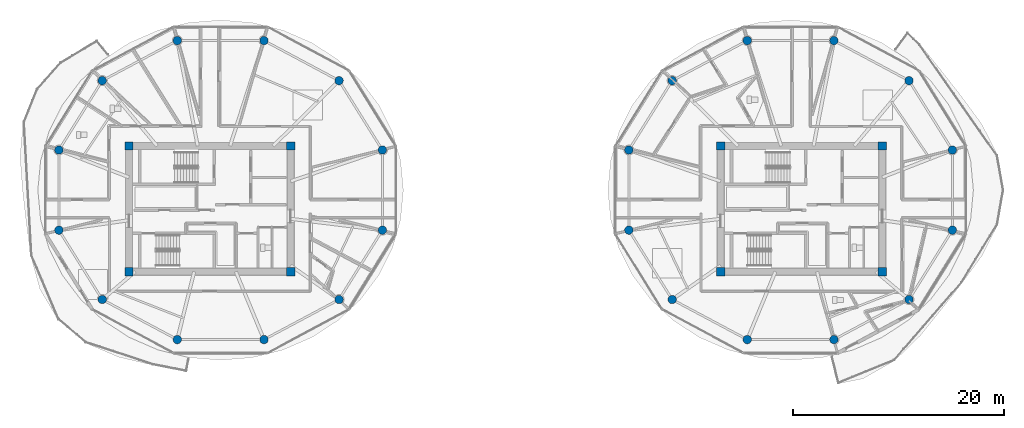
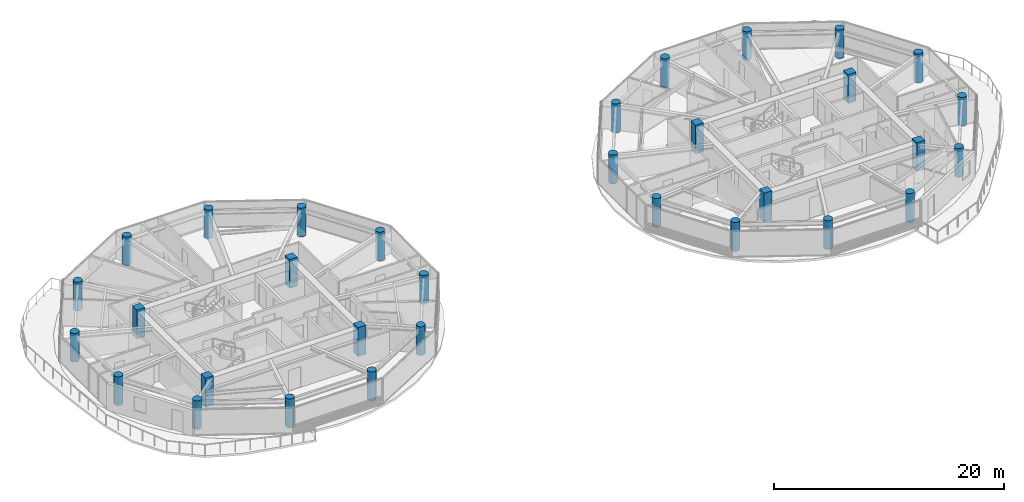
# One storey, part 1 of 25: 32 columns.
"""IFC4 building model written with IfcOpenShell, lengths in metres."""

from ifc_helpers import new_model, si_unit, direction, frame, origin, origin_2d, place, context, subcontext, project, spatial, rectangle, circle, extrude, source, transform, mapped, material, material_profile, profile_set, type_object, type_shapes, element, save


model = new_model("IFC4")

# Units and contexts
model_context = context("Model", 3, precision=1e-05, world=origin(), true_north=direction((0.0, 1.0)))
body_context = subcontext(model_context, "Body", "Model", "MODEL_VIEW")
ifc_project = project(units=[si_unit("LENGTHUNIT", "METRE"), si_unit("AREAUNIT", "SQUARE_METRE"), si_unit("VOLUMEUNIT", "CUBIC_METRE"), si_unit("PLANEANGLEUNIT", "RADIAN"), si_unit("MASSUNIT", "GRAM", prefix="KILO")], contexts=[model_context])

# Site, building, storey
site_placement = place(None, origin())
site = spatial("IfcSite", under=ifc_project, at=site_placement, CompositionType="ELEMENT")
building_placement = place(site_placement, origin())
building = spatial("IfcBuilding", under=site, at=building_placement, Name="Norrkilde Senior Care Towers", CompositionType="ELEMENT")
storey_placement = place(building_placement, frame((0.0, 0.0, 161.75)))
storey = spatial("IfcBuildingStorey", under=building, at=storey_placement, Name="L50", CompositionType="ELEMENT", Elevation=161.75)

# Columns
ifc_material_1 = material(Name="Concrete C60/75", Category="concrete")
ifc_material_profile_1 = material_profile(ifc_material_1, rectangle(XDim=0.800048828125, YDim=0.800048828125, at=origin_2d()), Name="RC COL 800x800")
ifc_profile_set_1 = profile_set([ifc_material_profile_1], Name="Concrete C60/75")
column_type_1 = type_object("IfcColumnType", Name="Column Core Corner Z3-Z4 800", PredefinedType="COLUMN", material=ifc_profile_set_1)
shared_shape_1 = source(origin(), body_context, "Body", "SweptSolid", [
    extrude(rectangle(XDim=0.800048828125, YDim=0.800048828125, at=origin_2d()), origin(), (0.0, 0.0, 1.0), 3.050048828125),
])
type_shapes(column_type_1, [shared_shape_1])
for number, where, z_axis, x_axis, name in (
    (1, (-35.64990234375, -5.949951171875, 0.0), (0.0, 0.0, 1.0), (1.0, 0.0, 0.0), "L50 Core W Corner Column 1"),
    (2, (-20.35009765625, -5.949951171875, 0.0), (0.0, 0.0, 1.0), (1.0, 0.0, 0.0), "L50 Core W Corner Column 2"),
    (3, (-20.35009765625, 5.949951171875, 0.0), (0.0, 0.0, 1.0), (1.0, 0.0, 0.0), "L50 Core W Corner Column 3"),
    (4, (-35.64990234375, 5.949951171875, 0.0), (0.0, 0.0, 1.0), (1.0, 0.0, 0.0), "L50 Core W Corner Column 4"),
    (5, (20.35009765625, -5.949951171875, 0.0), (0.0, 0.0, 1.0), (1.0, 0.0, 0.0), "L50 Core E Corner Column 1"),
    (6, (35.64990234375, -5.949951171875, 0.0), (0.0, 0.0, 1.0), (1.0, 0.0, 0.0), "L50 Core E Corner Column 2"),
    (7, (35.64990234375, 5.949951171875, 0.0), (0.0, 0.0, 1.0), (1.0, 0.0, 0.0), "L50 Core E Corner Column 3"),
    (8, (20.35009765625, 5.949951171875, 0.0), (0.0, 0.0, 1.0), (1.0, 0.0, 0.0), "L50 Core E Corner Column 4"),
):
    element("IfcColumn", number, at=place(storey_placement, frame(where, z_axis=z_axis, x_axis=x_axis)), inside=storey, type_object=column_type_1, Name=name, PredefinedType="COLUMN", context=body_context, shape_type="MappedRepresentation", body=[
        mapped(shared_shape_1, transform((0.0, 0.0, 0.0), x_axis=(1.0, 0.0, 0.0), y_axis=(0.0, 1.0, 0.0), z_axis=(0.0, 0.0, 1.0), scale=1.0)),
    ])
ifc_material_2 = material(Name="Concrete C50/60", Category="concrete")
ifc_material_profile_2 = material_profile(ifc_material_2, circle(Radius=0.39990234375, at=origin_2d()), Name="RC CIR 800")
ifc_profile_set_2 = profile_set([ifc_material_profile_2], Name="Concrete C50/60")
column_type_2 = type_object("IfcColumnType", Name="Column Perimeter Z3 800", PredefinedType="COLUMN", material=ifc_profile_set_2)
shared_shape_2 = source(origin(), body_context, "Body", "SweptSolid", [
    extrude(circle(Radius=0.39990234375, at=origin_2d()), origin(), (0.0, 0.0, 1.0), 3.050048828125),
])
type_shapes(column_type_2, [shared_shape_2])
for number, where, z_axis, x_axis, name in (
    (9, (-11.6650390625, 5.567138671875, 0.0), (0.0, 0.0, 1.0), (1.0, 0.0, 0.0), "L50 Drum W Perimeter Column 01"),
    (10, (-15.767333984375, 12.134521484375, 0.0), (0.0, 0.0, 1.0), (1.0, 0.0, 0.0), "L50 Drum W Perimeter Column 02"),
    (11, (-22.872802734375, 15.92626953125, 0.0), (0.0, 0.0, 1.0), (1.0, 0.0, 0.0), "L50 Drum W Perimeter Column 03"),
    (12, (-31.077392578125, 15.92626953125, 0.0), (0.0, 0.0, 1.0), (1.0, 0.0, 0.0), "L50 Drum W Perimeter Column 04"),
    (13, (-38.1826171875, 12.134521484375, 0.0), (0.0, 0.0, 1.0), (1.0, 0.0, 0.0), "L50 Drum W Perimeter Column 05"),
    (14, (-42.284912109375, 5.567138671875, 0.0), (0.0, 0.0, 1.0), (1.0, 0.0, 0.0), "L50 Drum W Perimeter Column 06"),
    (15, (-42.284912109375, -2.016357421875, 0.0), (0.0, 0.0, 1.0), (1.0, 0.0, 0.0), "L50 Drum W Perimeter Column 07"),
    (16, (-38.1826171875, -8.583740234375, 0.0), (0.0, 0.0, 1.0), (1.0, 0.0, 0.0), "L50 Drum W Perimeter Column 08"),
    (17, (-31.077392578125, -12.37548828125, 0.0), (0.0, 0.0, 1.0), (1.0, 0.0, 0.0), "L50 Drum W Perimeter Column 09"),
    (18, (-22.872802734375, -12.37548828125, 0.0), (0.0, 0.0, 1.0), (1.0, 0.0, 0.0), "L50 Drum W Perimeter Column 10"),
    (19, (-15.767333984375, -8.583740234375, 0.0), (0.0, 0.0, 1.0), (1.0, 0.0, 0.0), "L50 Drum W Perimeter Column 11"),
    (20, (-11.6650390625, -2.016357421875, 0.0), (0.0, 0.0, 1.0), (1.0, 0.0, 0.0), "L50 Drum W Perimeter Column 12"),
    (21, (42.284912109375, 5.567138671875, 0.0), (0.0, 0.0, 1.0), (1.0, 0.0, 0.0), "L50 Drum E Perimeter Column 01"),
    (22, (38.1826171875, 12.134521484375, 0.0), (0.0, 0.0, 1.0), (1.0, 0.0, 0.0), "L50 Drum E Perimeter Column 02"),
    (23, (31.077392578125, 15.92626953125, 0.0), (0.0, 0.0, 1.0), (1.0, 0.0, 0.0), "L50 Drum E Perimeter Column 03"),
    (24, (22.872802734375, 15.92626953125, 0.0), (0.0, 0.0, 1.0), (1.0, 0.0, 0.0), "L50 Drum E Perimeter Column 04"),
    (25, (15.767333984375, 12.134521484375, 0.0), (0.0, 0.0, 1.0), (1.0, 0.0, 0.0), "L50 Drum E Perimeter Column 05"),
    (26, (11.6650390625, 5.567138671875, 0.0), (0.0, 0.0, 1.0), (1.0, 0.0, 0.0), "L50 Drum E Perimeter Column 06"),
    (27, (11.6650390625, -2.016357421875, 0.0), (0.0, 0.0, 1.0), (1.0, 0.0, 0.0), "L50 Drum E Perimeter Column 07"),
    (28, (15.767333984375, -8.583740234375, 0.0), (0.0, 0.0, 1.0), (1.0, 0.0, 0.0), "L50 Drum E Perimeter Column 08"),
    (29, (22.872802734375, -12.37548828125, 0.0), (0.0, 0.0, 1.0), (1.0, 0.0, 0.0), "L50 Drum E Perimeter Column 09"),
    (30, (31.077392578125, -12.37548828125, 0.0), (0.0, 0.0, 1.0), (1.0, 0.0, 0.0), "L50 Drum E Perimeter Column 10"),
    (31, (38.1826171875, -8.583740234375, 0.0), (0.0, 0.0, 1.0), (1.0, 0.0, 0.0), "L50 Drum E Perimeter Column 11"),
    (32, (42.284912109375, -2.016357421875, 0.0), (0.0, 0.0, 1.0), (1.0, 0.0, 0.0), "L50 Drum E Perimeter Column 12"),
):
    element("IfcColumn", number, at=place(storey_placement, frame(where, z_axis=z_axis, x_axis=x_axis)), inside=storey, type_object=column_type_2, Name=name, PredefinedType="COLUMN", context=body_context, shape_type="MappedRepresentation", body=[
        mapped(shared_shape_2, transform((0.0, 0.0, 0.0), x_axis=(1.0, 0.0, 0.0), y_axis=(0.0, 1.0, 0.0), z_axis=(0.0, 0.0, 1.0), scale=1.0)),
    ])

save(model, "model.ifc")
